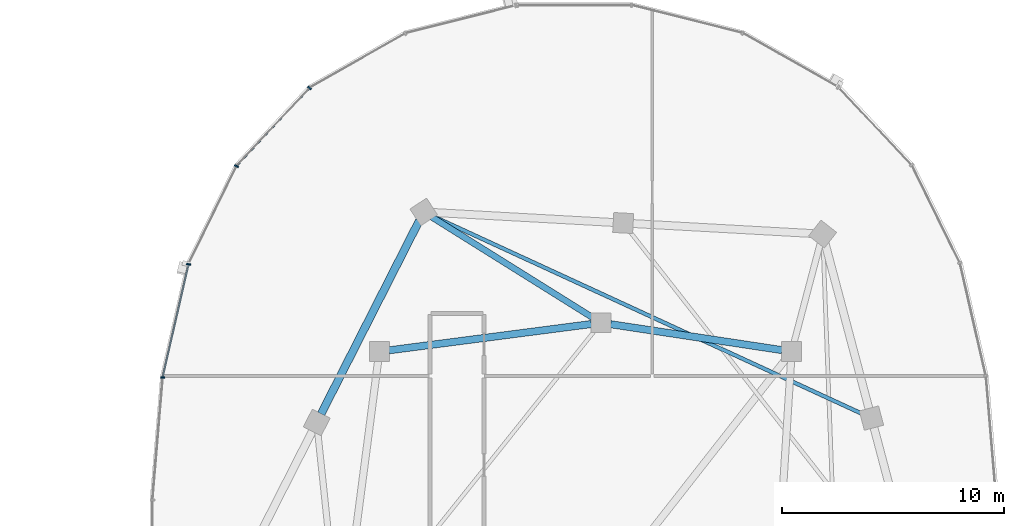
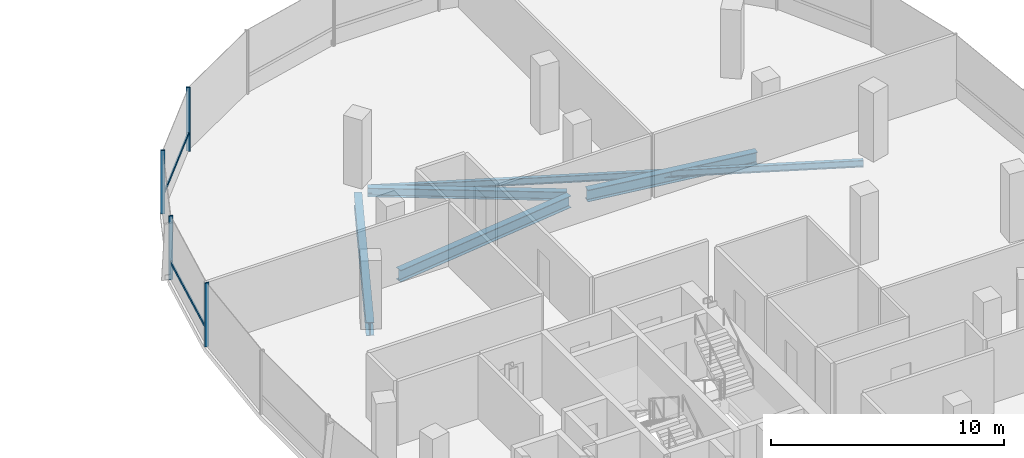
# One storey, part 11 of 25: 6 members, 5 beams, 1 element without a shape of its own.
"""IFC4 building model written with IfcOpenShell, lengths in metres."""

from ifc_helpers import new_model, si_unit, direction, frame, origin, origin_2d, place, context, subcontext, project, spatial, rectangle, i_section, extrude, material, material_profile, profile_set, type_object, element, aggregate, save


model = new_model("IFC4")

# Units and contexts
model_context = context("Model", 3, precision=1e-05, world=origin(), true_north=direction((0.0, 1.0)))
body_context = subcontext(model_context, "Body", "Model", "MODEL_VIEW")
ifc_project = project(units=[si_unit("LENGTHUNIT", "METRE"), si_unit("AREAUNIT", "SQUARE_METRE"), si_unit("VOLUMEUNIT", "CUBIC_METRE"), si_unit("PLANEANGLEUNIT", "RADIAN"), si_unit("MASSUNIT", "GRAM", prefix="KILO"), si_unit("THERMODYNAMICTEMPERATUREUNIT", "KELVIN"), si_unit("POWERUNIT", "WATT")], contexts=[model_context])

# Site, building, storey
site_placement = place(None, origin())
site = spatial("IfcSite", under=ifc_project, at=site_placement, CompositionType="ELEMENT")
building_placement = place(site_placement, origin())
building = spatial("IfcBuilding", under=site, at=building_placement, Name="Cundina Bronze Exchange", CompositionType="ELEMENT")
storey_placement = place(building_placement, frame((0.0, 0.0, 202.60009765625)))
storey = spatial("IfcBuildingStorey", under=building, at=storey_placement, Name="L53", CompositionType="ELEMENT", Elevation=202.60009765625)

# Beams
ifc_material_1 = material(Name="Steel ASTM A992 Grade 50", Category="steel")
ifc_material_profile_1 = material_profile(ifc_material_1, i_section(OverallWidth=0.280029296875, OverallDepth=0.462890625, WebThickness=0.0107421875, FlangeThickness=0.017333984375, FilletRadius=0.011962890625, at=origin_2d()), Name="W18X76", Category="steel")
ifc_profile_set_1 = profile_set([ifc_material_profile_1], Name="Steel ASTM A992 Grade 50")
beam_type_1 = type_object("IfcBeamType", Name="BM-FLR-W18A", PredefinedType="BEAM", material=ifc_profile_set_1)
beam_1_placement = place(storey_placement, frame((32.82861328125, 11.031982421875, -0.49169921875), z_axis=(-0.847995098703, 0.530004068452, 0.0), x_axis=(-0.530004068452, -0.847995098703, 0.0)))
element("IfcBeam", 1, at=beam_1_placement, inside=storey, type_object=beam_type_1, Name="L53 Leg E Chordal Floor Beam 12", PredefinedType="BEAM", context=body_context, shape_type="SweptSolid", body=[
    extrude(i_section(OverallWidth=0.280029296875, OverallDepth=0.462890625, WebThickness=0.0107421875, FlangeThickness=0.017333984375, FilletRadius=0.011962890625, at=origin_2d()), origin(), (0.0, 0.0, 1.0), 8.55810546875),
])
ifc_material_profile_2 = material_profile(ifc_material_1, i_section(OverallWidth=0.172119140625, OverallDepth=0.35791015625, WebThickness=0.0078125, FlangeThickness=0.01318359375, FilletRadius=0.010009765625, at=origin_2d()), Name="W14X38", Category="steel")
ifc_profile_set_2 = profile_set([ifc_material_profile_2], Name="Steel ASTM A992 Grade 50")
beam_type_2 = type_object("IfcBeamType", Name="BM-JST-W14", PredefinedType="JOIST", material=ifc_profile_set_2)
beam_2_placement = place(storey_placement, frame((45.002197265625, 6.68310546875, -0.439208984375), z_axis=(-0.908355026127, 0.418199888224, 0.0), x_axis=(-0.418199888224, -0.908355026127, 0.0)))
element("IfcBeam", 2, at=beam_2_placement, inside=storey, type_object=beam_type_2, Name="L53 Leg E Lobe Floor Joist 09-12", PredefinedType="JOIST", context=body_context, shape_type="SweptSolid", body=[
    extrude(i_section(OverallWidth=0.172119140625, OverallDepth=0.35791015625, WebThickness=0.0078125, FlangeThickness=0.01318359375, FilletRadius=0.010009765625, at=origin_2d()), origin(), (0.0, 0.0, 1.0), 21.362060546875),
])
ifc_material_profile_3 = material_profile(ifc_material_1, i_section(OverallWidth=0.324951171875, OverallDepth=0.615966796875, WebThickness=0.013916015625, FlangeThickness=0.021484375, FilletRadius=0.01611328125, at=origin_2d()), Name="W24X117", Category="steel")
ifc_profile_set_3 = profile_set([ifc_material_profile_3], Name="Steel ASTM A992 Grade 50")
beam_type_3 = type_object("IfcBeamType", Name="BM-RING-W24", PredefinedType="USERDEFINED", material=ifc_profile_set_3)
beam_3_placement = place(storey_placement, frame((41.366943359375, 9.5654296875, -0.568115234375), z_axis=(-0.988764903598, 0.149478979839, 0.0), x_axis=(-0.149478979839, -0.988764903598, 0.0)))
element("IfcBeam", 3, at=beam_3_placement, inside=storey, type_object=beam_type_3, Name="L53 E Inner Structural Ring Girder 05", ObjectType="GIRDER", PredefinedType="USERDEFINED", context=body_context, shape_type="SweptSolid", body=[
    extrude(i_section(OverallWidth=0.324951171875, OverallDepth=0.615966796875, WebThickness=0.013916015625, FlangeThickness=0.021484375, FilletRadius=0.01611328125, at=origin_2d()), origin(), (0.0, 0.0, 1.0), 7.82177734375),
])
beam_4_placement = place(storey_placement, frame((32.765625, 10.743408203125, -0.568115234375), z_axis=(-0.991656498582, -0.128908451316, 0.0), x_axis=(0.128908451316, -0.991656498582, 0.0)))
element("IfcBeam", 4, at=beam_4_placement, inside=storey, type_object=beam_type_3, Name="L53 E Inner Structural Ring Girder 06", ObjectType="GIRDER", PredefinedType="USERDEFINED", context=body_context, shape_type="SweptSolid", body=[
    extrude(i_section(OverallWidth=0.324951171875, OverallDepth=0.615966796875, WebThickness=0.013916015625, FlangeThickness=0.021484375, FilletRadius=0.01611328125, at=origin_2d()), origin(), (0.0, 0.0, 1.0), 9.208251953125),
])
ifc_material_profile_4 = material_profile(ifc_material_1, i_section(OverallWidth=0.35498046875, OverallDepth=0.695068359375, WebThickness=0.015380859375, FlangeThickness=0.02490234375, FilletRadius=0.01806640625, at=origin_2d()), Name="W27X146", Category="steel")
ifc_profile_set_4 = profile_set([ifc_material_profile_4], Name="Steel ASTM A992 Grade 50")
beam_type_4 = type_object("IfcBeamType", Name="BM-RING-W27", PredefinedType="USERDEFINED", material=ifc_profile_set_4)
beam_5_placement = place(storey_placement, frame((25.001708984375, 15.409423828125, -0.607666015625), z_axis=(-0.452846871434, -0.891588308039, 0.0), x_axis=(0.891588308039, -0.452846871434, 0.0)))
element("IfcBeam", 5, at=beam_5_placement, inside=storey, type_object=beam_type_4, Name="L53 E Perimeter Ring Girder 12", ObjectType="GIRDER", PredefinedType="USERDEFINED", context=body_context, shape_type="SweptSolid", body=[
    extrude(i_section(OverallWidth=0.35498046875, OverallDepth=0.695068359375, WebThickness=0.015380859375, FlangeThickness=0.02490234375, FilletRadius=0.01806640625, at=origin_2d()), origin(), (0.0, 0.0, 1.0), 9.779052734375),
])

# Curtain wall, members
ifc_material_2 = material(Name="Anodised Bronze Aluminium 6063-T6", Category="aluminium")
curtain_wall_type = type_object("IfcCurtainWallType", Name="CWS-UPP-OFF", PredefinedType="NOTDEFINED", material=ifc_material_2)
curtain_wall_placement = place(storey_placement, origin())
curtain_wall = element("IfcCurtainWall", 6, at=curtain_wall_placement, inside=storey, type_object=curtain_wall_type, Name="L53 CW-05 Curtain Wall Run CWR-L53-E2", PredefinedType="NOTDEFINED")
ifc_material_profile_5 = material_profile(ifc_material_2, rectangle(XDim=0.070068359375, YDim=0.18994140625, at=origin_2d()), Name="AL70X190", Category="aluminium")
ifc_profile_set_5 = profile_set([ifc_material_profile_5], Name="Anodised Bronze Aluminium 6063-T6")
member_type_1 = type_object("IfcMemberType", Name="CWM-MUL-190", PredefinedType="MULLION", material=ifc_profile_set_5)
member_1_placement = place(storey_placement, frame((20.05126953125, 21.392578125, 0.0), z_axis=(0.0, 0.0, 1.0), x_axis=(-0.684292606175, -0.729207535023, 0.0)))
member_1 = element("IfcMember", 7, at=member_1_placement, type_object=member_type_1, Name="CW-05 Mullion 3", PredefinedType="MULLION", context=body_context, shape_type="SweptSolid", body=[
    extrude(rectangle(XDim=0.070068359375, YDim=0.18994140625, at=origin_2d()), origin(), (0.0, 0.0, 1.0), 3.33984375),
])
member_2_placement = place(storey_placement, frame((16.754638671875, 17.866455078125, 0.0), z_axis=(0.0, 0.0, 1.0), x_axis=(-0.440566004113, -0.897720221461, 0.0)))
member_2 = element("IfcMember", 8, at=member_2_placement, type_object=member_type_1, Name="CW-05 Mullion 4", PredefinedType="MULLION", context=body_context, shape_type="SweptSolid", body=[
    extrude(rectangle(XDim=0.070068359375, YDim=0.18994140625, at=origin_2d()), origin(), (0.0, 0.0, 1.0), 3.33984375),
])
member_3_placement = place(storey_placement, frame((14.59228515625, 13.440673828125, 0.0), z_axis=(0.0, 0.0, 1.0), x_axis=(-0.223250116011, -0.974761194191, 0.0)))
member_3 = element("IfcMember", 9, at=member_3_placement, type_object=member_type_1, Name="CW-05 Mullion 5", PredefinedType="MULLION", context=body_context, shape_type="SweptSolid", body=[
    extrude(rectangle(XDim=0.070068359375, YDim=0.18994140625, at=origin_2d()), origin(), (0.0, 0.0, 1.0), 3.33984375),
])
member_4_placement = place(storey_placement, frame((13.427490234375, 8.33056640625, 0.0), z_axis=(0.0, 0.0, 1.0), x_axis=(-0.083677843332, -0.99649285925, 0.0)))
member_4 = element("IfcMember", 10, at=member_4_placement, type_object=member_type_1, Name="CW-05 Mullion 6", PredefinedType="MULLION", context=body_context, shape_type="SweptSolid", body=[
    extrude(rectangle(XDim=0.070068359375, YDim=0.18994140625, at=origin_2d()), origin(), (0.0, 0.0, 1.0), 3.33984375),
])
ifc_material_profile_6 = material_profile(ifc_material_2, rectangle(XDim=0.06494140625, YDim=0.14990234375, at=origin_2d()), Name="AL65X150", Category="aluminium")
ifc_profile_set_6 = profile_set([ifc_material_profile_6], Name="Anodised Bronze Aluminium 6063-T6")
member_type_2 = type_object("IfcMemberType", Name="CWM-TRN-150", PredefinedType="USERDEFINED", material=ifc_profile_set_6)
member_5_placement = place(storey_placement, frame((20.02490234375, 21.364501953125, 0.919921875), z_axis=(-0.684336416554, -0.729166420633, 0.0), x_axis=(0.729166420633, -0.684336416554, 0.0)))
member_5 = element("IfcMember", 11, at=member_5_placement, type_object=member_type_2, Name="CW-05 Spandrel Transom 3", ObjectType="TRANSOM", PredefinedType="USERDEFINED", context=body_context, shape_type="SweptSolid", body=[
    extrude(rectangle(XDim=0.06494140625, YDim=0.14990234375, at=origin_2d()), origin(), (0.0, 0.0, 1.0), 4.76513671875),
])
member_6_placement = place(storey_placement, frame((14.58349609375, 13.403076171875, 0.919921875), z_axis=(-0.22328343579, -0.974753562344, 0.0), x_axis=(0.974753562344, -0.22328343579, 0.0)))
member_6 = element("IfcMember", 12, at=member_6_placement, type_object=member_type_2, Name="CW-05 Spandrel Transom 5", ObjectType="TRANSOM", PredefinedType="USERDEFINED", context=body_context, shape_type="SweptSolid", body=[
    extrude(rectangle(XDim=0.06494140625, YDim=0.14990234375, at=origin_2d()), origin(), (0.0, 0.0, 1.0), 5.159912109375),
])
aggregate(curtain_wall, [member_1, member_5, member_2, member_3, member_6, member_4])

save(model, "model.ifc")
